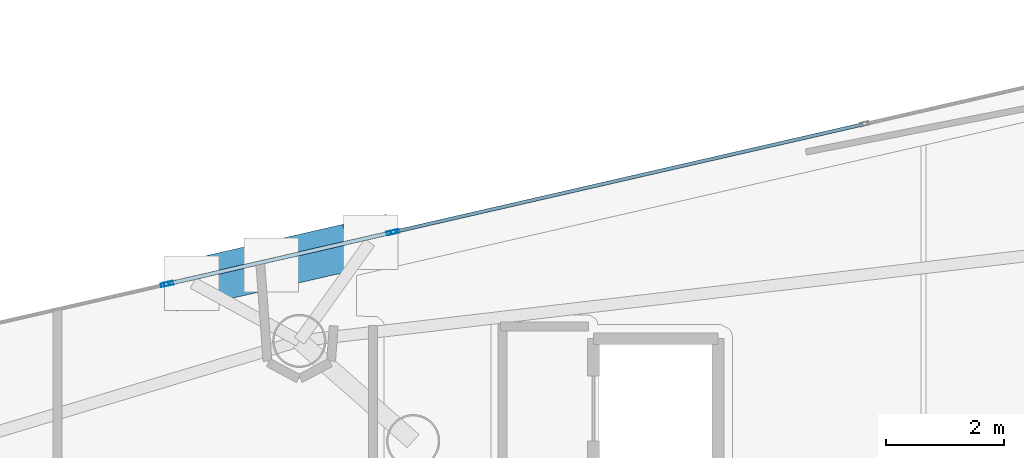
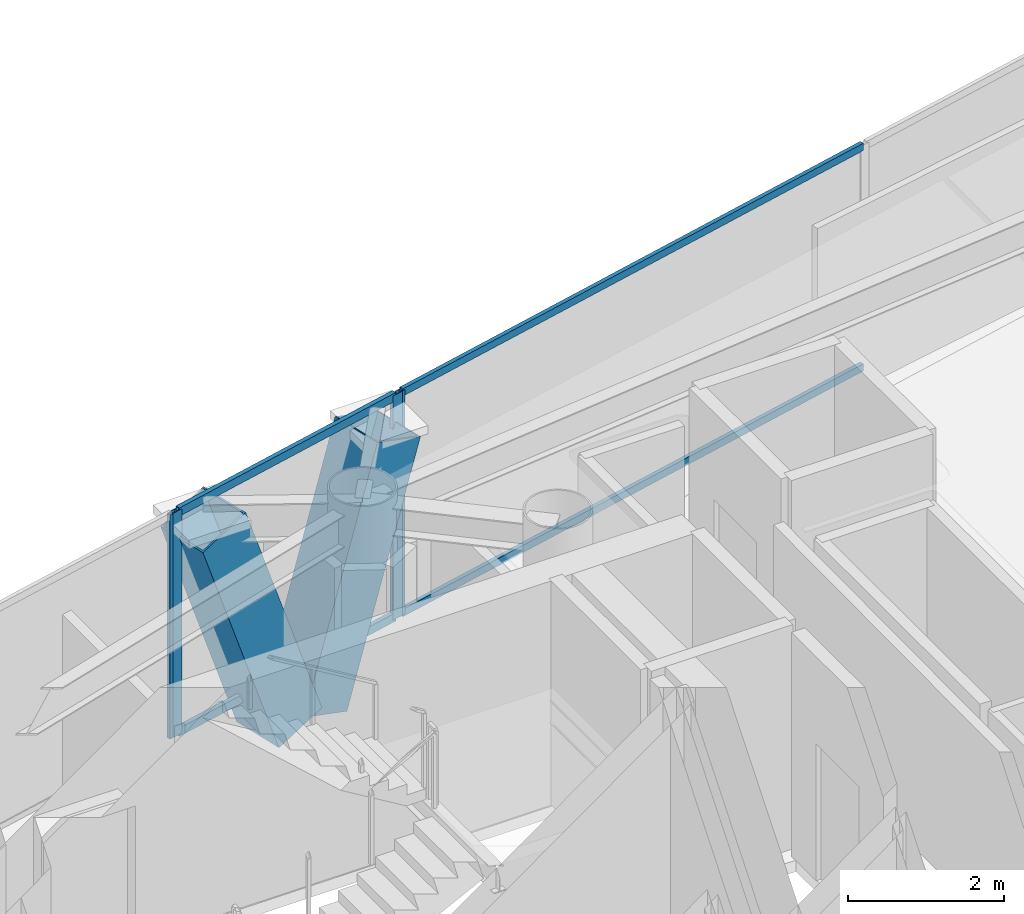
# One storey, part 15 of 24: 10 members, 3 elements without a shape of their own.
"""IFC4 building model written with IfcOpenShell, lengths in metres."""

from ifc_helpers import new_model, si_unit, direction, frame, origin, origin_2d, place, context, subcontext, project, spatial, hollow_rectangle, extrude, material, layer, layer_set, material_profile, profile_set, type_object, element, aggregate, save


model = new_model("IFC4")

# Units and contexts
model_context = context("Model", 3, precision=1e-05, world=origin(), true_north=direction((0.0, 1.0)))
body_context = subcontext(model_context, "Body", "Model", "MODEL_VIEW")
ifc_project = project(units=[si_unit("LENGTHUNIT", "METRE"), si_unit("AREAUNIT", "SQUARE_METRE"), si_unit("VOLUMEUNIT", "CUBIC_METRE"), si_unit("PLANEANGLEUNIT", "RADIAN"), si_unit("MASSUNIT", "GRAM", prefix="KILO")], contexts=[model_context])

# Site, building, storey
site_placement = place(None, origin())
site = spatial("IfcSite", under=ifc_project, at=site_placement, CompositionType="ELEMENT")
building_placement = place(site_placement, origin())
building = spatial("IfcBuilding", under=site, at=building_placement, Name="Qianvela Tower", CompositionType="ELEMENT")
storey_placement = place(building_placement, frame((0.0, 0.0, 306.5)))
storey = spatial("IfcBuildingStorey", under=building, at=storey_placement, Name="L79", CompositionType="ELEMENT", Elevation=306.5)

# Curtain wall, members
ifc_material_1 = material(Name="Anodised Architectural Aluminium and Insulated Spandrel Panel", Category="aluminium")
ifc_layer_1 = layer(ifc_material_1, 0.179931640625)
ifc_layer_set_1 = layer_set([ifc_layer_1], Name="Anodised Architectural Aluminium and Insulated Spandrel Panel")
curtain_wall_type_1 = type_object("IfcCurtainWallType", Name="CW-BRACEBAY", PredefinedType="USERDEFINED", material=ifc_layer_set_1)
curtain_wall_1_placement = place(storey_placement, origin())
curtain_wall_1 = element("IfcCurtainWall", 1, at=curtain_wall_1_placement, inside=storey, type_object=curtain_wall_type_1, Name="L79 CW-BRACEBAY Curtain Wall 02B", ObjectType="CURTAIN_WALL_SYSTEM", PredefinedType="USERDEFINED")
ifc_material_2 = material(Name="Anodised Architectural Aluminium 6063-T6", Category="aluminium")
ifc_material_profile_1 = material_profile(ifc_material_2, hollow_rectangle(XDim=0.06494140625, YDim=0.159912109375, WallThickness=0.0048828125, at=origin_2d()), Name="ALU-MULL-65x160")
ifc_profile_set_1 = profile_set([ifc_material_profile_1], Name="Anodised Architectural Aluminium 6063-T6")
member_type_1 = type_object("IfcMemberType", Name="CW-BRACEBAY-MULL", PredefinedType="MULLION", material=ifc_profile_set_1)
member_1_placement = place(storey_placement, frame((38.033935546875, 37.074462890625, 0.0), z_axis=(0.0, 0.0, 1.0), x_axis=(0.223714601358, -0.974654696361, 0.0)))
member_1 = element("IfcMember", 2, at=member_1_placement, type_object=member_type_1, Name="CW-9 mullion 1", PredefinedType="MULLION", context=body_context, shape_type="SweptSolid", body=[
    extrude(hollow_rectangle(XDim=0.06494140625, YDim=0.159912109375, WallThickness=0.0048828125, at=origin_2d()), origin(), (0.0, 0.0, 1.0), 3.52001953125),
])
member_2_placement = place(storey_placement, frame((34.266845703125, 36.2099609375, 0.0), z_axis=(0.0, 0.0, 1.0), x_axis=(0.223714601358, -0.974654696361, 0.0)))
member_2 = element("IfcMember", 3, at=member_2_placement, type_object=member_type_1, Name="CW-9 mullion 2", PredefinedType="MULLION", context=body_context, shape_type="SweptSolid", body=[
    extrude(hollow_rectangle(XDim=0.06494140625, YDim=0.159912109375, WallThickness=0.0048828125, at=origin_2d()), origin(), (0.0, 0.0, 1.0), 3.52001953125),
])
ifc_material_3 = material(Name="Anodised Architectural Aluminium 6063-T6", Category="aluminium")
ifc_material_profile_2 = material_profile(ifc_material_3, hollow_rectangle(XDim=0.06494140625, YDim=0.1298828125, WallThickness=0.00439453125, at=origin_2d()), Name="ALU-TRAN-65x130")
ifc_profile_set_2 = profile_set([ifc_material_profile_2], Name="Anodised Architectural Aluminium 6063-T6")
member_type_2 = type_object("IfcMemberType", Name="CW-BRACEBAY-TRAN", PredefinedType="USERDEFINED", material=ifc_profile_set_2)
member_3_placement = place(storey_placement, frame((38.002197265625, 37.067138671875, 0.032470703125), z_axis=(-0.974657952556, -0.22370041466, 0.0), x_axis=(0.22370041466, -0.974657952556, 0.0)))
member_3 = element("IfcMember", 4, at=member_3_placement, type_object=member_type_2, Name="CW-9 transom 1.1", ObjectType="TRANSOM", PredefinedType="USERDEFINED", context=body_context, shape_type="SweptSolid", body=[
    extrude(hollow_rectangle(XDim=0.06494140625, YDim=0.1298828125, WallThickness=0.00439453125, at=origin_2d()), origin(), (0.0, 0.0, 1.0), 3.800048828125),
])
member_4_placement = place(storey_placement, frame((38.002197265625, 37.067138671875, 3.487548828125), z_axis=(-0.974657952556, -0.22370041466, 0.0), x_axis=(0.22370041466, -0.974657952556, 0.0)))
member_4 = element("IfcMember", 5, at=member_4_placement, type_object=member_type_2, Name="CW-9 transom 1.2", ObjectType="TRANSOM", PredefinedType="USERDEFINED", context=body_context, shape_type="SweptSolid", body=[
    extrude(hollow_rectangle(XDim=0.06494140625, YDim=0.1298828125, WallThickness=0.00439453125, at=origin_2d()), origin(), (0.0, 0.0, 1.0), 3.800048828125),
])
aggregate(curtain_wall_1, [member_1, member_2, member_3, member_4])

# Curtain wall, member
ifc_material_4 = material(Name="Anodised Architectural Aluminium and Low-E Glass", Category="aluminium")
ifc_layer_2 = layer(ifc_material_4, 0.14990234375)
ifc_layer_set_2 = layer_set([ifc_layer_2], Name="Anodised Architectural Aluminium and Low-E Glass")
curtain_wall_type_2 = type_object("IfcCurtainWallType", Name="CW-COLIV-Z78", PredefinedType="USERDEFINED", material=ifc_layer_set_2)
curtain_wall_2_placement = place(storey_placement, origin())
curtain_wall_2 = element("IfcCurtainWall", 6, at=curtain_wall_2_placement, inside=storey, type_object=curtain_wall_type_2, Name="L79 CW-COLIV-Z78 Curtain Wall 02A", ObjectType="CURTAIN_WALL_SYSTEM", PredefinedType="USERDEFINED")
ifc_material_5 = material(Name="Anodised Architectural Aluminium 6063-T6", Category="aluminium")
ifc_material_profile_3 = material_profile(ifc_material_5, hollow_rectangle(XDim=0.06005859375, YDim=0.139892578125, WallThickness=0.00439453125, at=origin_2d()), Name="ALU-MULL-60x140")
ifc_profile_set_3 = profile_set([ifc_material_profile_3], Name="Anodised Architectural Aluminium 6063-T6")
member_type_3 = type_object("IfcMemberType", Name="CW-COLIV-Z78-MULL", PredefinedType="MULLION", material=ifc_profile_set_3)
member_5_placement = place(storey_placement, frame((38.0947265625, 37.088623046875, 0.0), z_axis=(0.0, 0.0, 1.0), x_axis=(0.22370555495, -0.974656772759, 0.0)))
member_5 = element("IfcMember", 7, at=member_5_placement, type_object=member_type_3, Name="CW-6 mullion 3", PredefinedType="MULLION", context=body_context, shape_type="SweptSolid", body=[
    extrude(hollow_rectangle(XDim=0.06005859375, YDim=0.139892578125, WallThickness=0.00439453125, at=origin_2d()), origin(), (0.0, 0.0, 1.0), 3.52001953125),
])

curtain_wall_3_placement = place(storey_placement, origin())
curtain_wall_3 = element("IfcCurtainWall", 8, at=curtain_wall_3_placement, inside=storey, type_object=curtain_wall_type_2, Name="L79 CW-COLIV-Z78 Curtain Wall 02C", ObjectType="CURTAIN_WALL_SYSTEM", PredefinedType="USERDEFINED")
member_6_placement = place(storey_placement, frame((34.205810546875, 36.19580078125, 0.0), z_axis=(0.0, 0.0, 1.0), x_axis=(0.223710234751, -0.974655698628, 0.0)))
member_6 = element("IfcMember", 9, at=member_6_placement, type_object=member_type_3, Name="CW-6 mullion 1", PredefinedType="MULLION", context=body_context, shape_type="SweptSolid", body=[
    extrude(hollow_rectangle(XDim=0.06005859375, YDim=0.139892578125, WallThickness=0.00439453125, at=origin_2d()), origin(), (0.0, 0.0, 1.0), 3.52001953125),
])
aggregate(curtain_wall_3, [member_6])

# Member
ifc_material_6 = material(Name="Anodised Architectural Aluminium 6063-T6", Category="aluminium")
ifc_material_profile_4 = material_profile(ifc_material_6, hollow_rectangle(XDim=0.06005859375, YDim=0.114990234375, WallThickness=0.00390625, at=origin_2d()), Name="ALU-TRAN-60x115")
ifc_profile_set_4 = profile_set([ifc_material_profile_4], Name="Anodised Architectural Aluminium 6063-T6")
member_type_4 = type_object("IfcMemberType", Name="CW-COLIV-Z78-TRAN", PredefinedType="USERDEFINED", material=ifc_profile_set_4)
member_7_placement = place(storey_placement, frame((46.004150390625, 38.90380859375, 0.030029296875), z_axis=(-0.97465871027, -0.223697113291, 0.0), x_axis=(0.223697113291, -0.97465871027, 0.0)))
member_7 = element("IfcMember", 10, at=member_7_placement, type_object=member_type_4, Name="CW-6 transom 2.1", ObjectType="TRANSOM", PredefinedType="USERDEFINED", context=body_context, shape_type="SweptSolid", body=[
    extrude(hollow_rectangle(XDim=0.06005859375, YDim=0.114990234375, WallThickness=0.00390625, at=origin_2d()), origin(), (0.0, 0.0, 1.0), 8.0849609375),
])

member_8_placement = place(storey_placement, frame((46.004150390625, 38.90380859375, 3.489990234375), z_axis=(-0.97465871027, -0.223697113291, 0.0), x_axis=(0.223697113291, -0.97465871027, 0.0)))
member_8 = element("IfcMember", 11, at=member_8_placement, type_object=member_type_4, Name="CW-6 transom 2.2", ObjectType="TRANSOM", PredefinedType="USERDEFINED", context=body_context, shape_type="SweptSolid", body=[
    extrude(hollow_rectangle(XDim=0.06005859375, YDim=0.114990234375, WallThickness=0.00390625, at=origin_2d()), origin(), (0.0, 0.0, 1.0), 8.0849609375),
])

aggregate(curtain_wall_2, [member_5, member_7, member_8])

# Members
ifc_material_7 = material(Name="Steel Q420GJC", Category="steel")
ifc_material_profile_5 = material_profile(ifc_material_7, hollow_rectangle(XDim=0.800048828125, YDim=0.800048828125, WallThickness=0.028076171875, at=origin_2d()), Name="MBOX-800x800x28")
ifc_profile_set_5 = profile_set([ifc_material_profile_5], Name="Steel Q420GJC")
member_type_5 = type_object("IfcMemberType", Name="MBR-MBRACE-800", PredefinedType="BRACE", material=ifc_profile_set_5)
member_9_placement = place(storey_placement, frame((36.409423828125, 36.61962890625, -0.48193359375), z_axis=(0.32076746912, 0.073587098102, 0.944295064981), x_axis=(-0.223601006448, 0.974680763079, 0.0)))
element("IfcMember", 12, at=member_9_placement, inside=storey, type_object=member_type_5, Name="L79 Tier 13 Exterior Mega-Brace F1A", PredefinedType="BRACE", context=body_context, shape_type="SweptSolid", body=[
    extrude(hollow_rectangle(XDim=0.800048828125, YDim=0.800048828125, WallThickness=0.028076171875, at=origin_2d()), origin(), (0.0, 0.0, 1.0), 3.918212890625),
])
member_10_placement = place(storey_placement, frame((35.980712890625, 36.52099609375, -0.48193359375), z_axis=(-0.330986543265, -0.075904095708, 0.940577735454), x_axis=(0.223524477933, -0.974698316283, 0.0)))
element("IfcMember", 13, at=member_10_placement, inside=storey, type_object=member_type_5, Name="L79 Tier 13 Exterior Mega-Brace F1B", PredefinedType="BRACE", context=body_context, shape_type="SweptSolid", body=[
    extrude(hollow_rectangle(XDim=0.800048828125, YDim=0.800048828125, WallThickness=0.028076171875, at=origin_2d()), origin(), (0.0, 0.0, 1.0), 3.93359375),
])

save(model, "model.ifc")
